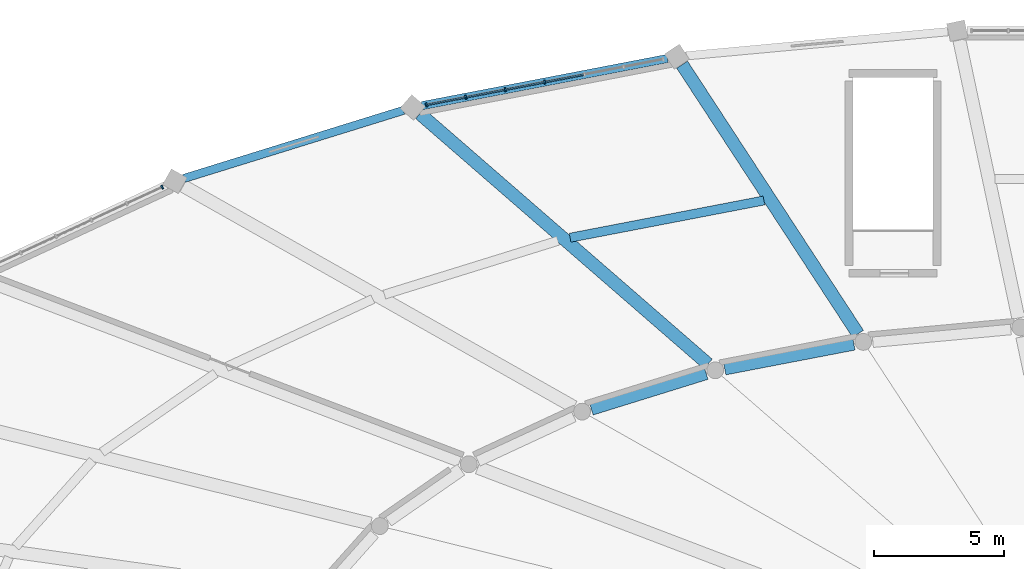
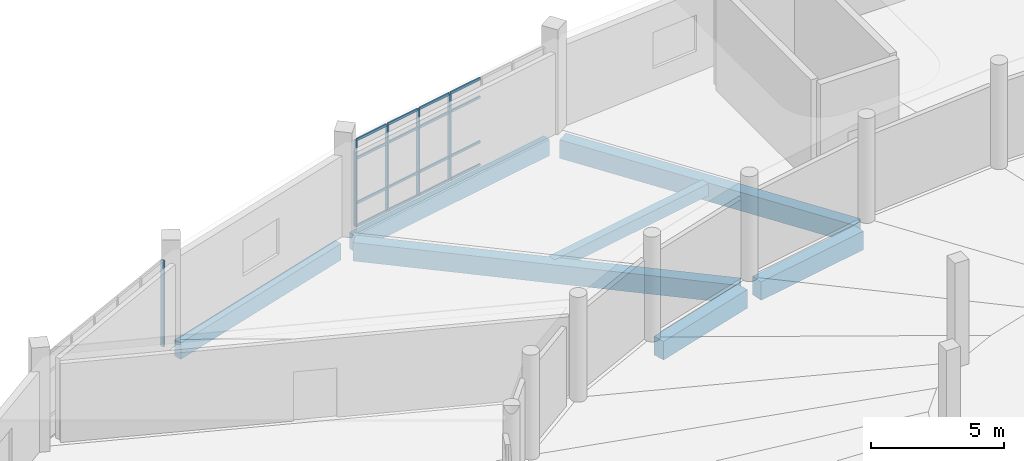
# One storey, part 80 of 179: 21 members, 7 beams, 2 elements without a shape of their own.
"""IFC4 building model written with IfcOpenShell, lengths in metres."""

from ifc_helpers import new_model, si_unit, direction, frame, origin, origin_2d, place, context, subcontext, project, spatial, rectangle, extrude, material, layer, layer_set, material_profile, profile_set, type_object, element, aggregate, save


model = new_model("IFC4")

# Units and contexts
model_context = context("Model", 3, precision=1e-05, world=origin(), true_north=direction((0.0, 1.0)))
body_context = subcontext(model_context, "Body", "Model", "MODEL_VIEW")
ifc_project = project(units=[si_unit("LENGTHUNIT", "METRE"), si_unit("AREAUNIT", "SQUARE_METRE"), si_unit("VOLUMEUNIT", "CUBIC_METRE"), si_unit("PLANEANGLEUNIT", "RADIAN"), si_unit("MASSUNIT", "GRAM", prefix="KILO")], contexts=[model_context])

# Site, building, storey
site_placement = place(None, origin())
site = spatial("IfcSite", under=ifc_project, at=site_placement, CompositionType="ELEMENT")
building_placement = place(site_placement, origin())
building = spatial("IfcBuilding", under=site, at=building_placement, Name="Corvandel Quay Wholesale Market", CompositionType="ELEMENT")
storey_placement = place(building_placement, frame((0.0, 0.0, 6.0)))
storey = spatial("IfcBuildingStorey", under=building, at=storey_placement, Name="L01", CompositionType="ELEMENT", Elevation=6.0)

# Curtain wall, members
ifc_material_1 = material(Name="Bronze anodised aluminium and low-E insulated glazing", Category="aluminium")
ifc_layer_1 = layer(ifc_material_1, 0.162109375)
ifc_layer_set_1 = layer_set([ifc_layer_1], Name="Bronze anodised aluminium and low-E insulated glazing")
curtain_wall_type_1 = type_object("IfcCurtainWallType", Name="Stick Curtain Wall System CW16 H4440", PredefinedType="NOTDEFINED", material=ifc_layer_set_1)
curtain_wall_1_placement = place(storey_placement, origin())
curtain_wall_1 = element("IfcCurtainWall", 1, at=curtain_wall_1_placement, inside=storey, type_object=curtain_wall_type_1, Name="Curtain Wall CW-0099", PredefinedType="NOTDEFINED")
ifc_material_2 = material(Name="Anodised aluminium 6063-T6", Category="aluminium")
ifc_material_profile_1 = material_profile(ifc_material_2, rectangle(XDim=0.06494140625, YDim=0.14990234375, at=origin_2d()), Name="ALU-MUL-65x150")
ifc_profile_set_1 = profile_set([ifc_material_profile_1], Name="Anodised aluminium 6063-T6")
member_type_1 = type_object("IfcMemberType", Name="Curtain Wall Mullion ML02 65x150", PredefinedType="MULLION", material=ifc_profile_set_1)
member_1_placement = place(storey_placement, frame((92.569580078125, 140.02099609375, 0.0), z_axis=(0.0, 0.0, 1.0), x_axis=(0.981991701121, 0.188924055984, 0.0)))
member_1 = element("IfcMember", 2, at=member_1_placement, type_object=member_type_1, Name="Mullion CW-0099-M03", PredefinedType="MULLION", context=body_context, shape_type="SweptSolid", body=[
    extrude(rectangle(XDim=0.06494140625, YDim=0.14990234375, at=origin_2d()), origin(), (0.0, 0.0, 1.0), 3.949951171875),
])
member_2_placement = place(storey_placement, frame((91.0478515625, 139.728271484375, 0.0), z_axis=(0.0, 0.0, 1.0), x_axis=(0.981991701121, 0.188924055984, 0.0)))
member_2 = element("IfcMember", 3, at=member_2_placement, type_object=member_type_1, Name="Mullion CW-0099-M04", PredefinedType="MULLION", context=body_context, shape_type="SweptSolid", body=[
    extrude(rectangle(XDim=0.06494140625, YDim=0.14990234375, at=origin_2d()), origin(), (0.0, 0.0, 1.0), 3.949951171875),
])
member_3_placement = place(storey_placement, frame((89.52587890625, 139.435791015625, 0.0), z_axis=(0.0, 0.0, 1.0), x_axis=(0.981991701121, 0.188924055984, 0.0)))
member_3 = element("IfcMember", 4, at=member_3_placement, type_object=member_type_1, Name="Mullion CW-0099-M05", PredefinedType="MULLION", context=body_context, shape_type="SweptSolid", body=[
    extrude(rectangle(XDim=0.06494140625, YDim=0.14990234375, at=origin_2d()), origin(), (0.0, 0.0, 1.0), 3.949951171875),
])
member_4_placement = place(storey_placement, frame((88.00439453125, 139.14306640625, 0.0), z_axis=(0.0, 0.0, 1.0), x_axis=(0.981991701121, 0.188924055984, 0.0)))
member_4 = element("IfcMember", 5, at=member_4_placement, type_object=member_type_1, Name="Mullion CW-0099-M06", PredefinedType="MULLION", context=body_context, shape_type="SweptSolid", body=[
    extrude(rectangle(XDim=0.06494140625, YDim=0.14990234375, at=origin_2d()), origin(), (0.0, 0.0, 1.0), 3.949951171875),
])

# Curtain wall, member
ifc_layer_2 = layer(ifc_material_1, 0.18603515625)
ifc_layer_set_2 = layer_set([ifc_layer_2], Name="Bronze anodised aluminium and low-E insulated glazing")
curtain_wall_type_2 = type_object("IfcCurtainWallType", Name="Stick Curtain Wall System CW18 H4620", PredefinedType="NOTDEFINED", material=ifc_layer_set_2)
curtain_wall_2_placement = place(storey_placement, origin())
curtain_wall_2 = element("IfcCurtainWall", 6, at=curtain_wall_2_placement, inside=storey, type_object=curtain_wall_type_2, Name="Curtain Wall CW-0100", PredefinedType="NOTDEFINED")
member_5_placement = place(storey_placement, frame((77.812255859375, 135.968505859375, 0.0), z_axis=(0.0, 0.0, 1.0), x_axis=(0.906970515865, 0.421194115999, 0.0)))
member_5 = element("IfcMember", 7, at=member_5_placement, type_object=member_type_1, Name="Mullion CW-0100-M00", PredefinedType="MULLION", context=body_context, shape_type="SweptSolid", body=[
    extrude(rectangle(XDim=0.06494140625, YDim=0.14990234375, at=origin_2d()), origin(), (0.0, 0.0, 1.0), 3.949951171875),
])
aggregate(curtain_wall_2, [member_5])

# Member
ifc_material_profile_2 = material_profile(ifc_material_2, rectangle(XDim=0.06005859375, YDim=0.110107421875, at=origin_2d()), Name="ALU-TRN-60x110")
ifc_profile_set_2 = profile_set([ifc_material_profile_2], Name="Anodised aluminium 6063-T6")
member_type_2 = type_object("IfcMemberType", Name="Curtain Wall Transom TR02 60x110", PredefinedType="USERDEFINED", material=ifc_profile_set_2)
member_6_placement = place(storey_placement, frame((94.059326171875, 140.3076171875, 0.0), z_axis=(-0.98199002349, -0.188932775785, 0.0), x_axis=(0.188932775785, -0.98199002349, 0.0)))
member_6 = element("IfcMember", 8, at=member_6_placement, type_object=member_type_2, Name="Transom CW-0099-T02-0", ObjectType="TRANSOM", PredefinedType="USERDEFINED", context=body_context, shape_type="SweptSolid", body=[
    extrude(rectangle(XDim=0.06005859375, YDim=0.110107421875, at=origin_2d()), origin(), (0.0, 0.0, 1.0), 1.48486328125),
])

member_7_placement = place(storey_placement, frame((94.059326171875, 140.3076171875, 1.050048828125), z_axis=(-0.98199002349, -0.188932775785, 0.0), x_axis=(0.188932775785, -0.98199002349, 0.0)))
member_7 = element("IfcMember", 9, at=member_7_placement, type_object=member_type_2, Name="Transom CW-0099-T02-1", ObjectType="TRANSOM", PredefinedType="USERDEFINED", context=body_context, shape_type="SweptSolid", body=[
    extrude(rectangle(XDim=0.06005859375, YDim=0.110107421875, at=origin_2d()), origin(), (0.0, 0.0, 1.0), 1.48486328125),
])

member_8_placement = place(storey_placement, frame((94.059326171875, 140.3076171875, 3.10009765625), z_axis=(-0.98199002349, -0.188932775785, 0.0), x_axis=(0.188932775785, -0.98199002349, 0.0)))
member_8 = element("IfcMember", 10, at=member_8_placement, type_object=member_type_2, Name="Transom CW-0099-T02-2", ObjectType="TRANSOM", PredefinedType="USERDEFINED", context=body_context, shape_type="SweptSolid", body=[
    extrude(rectangle(XDim=0.06005859375, YDim=0.110107421875, at=origin_2d()), origin(), (0.0, 0.0, 1.0), 1.48486328125),
])

member_9_placement = place(storey_placement, frame((94.059326171875, 140.3076171875, 3.949951171875), z_axis=(-0.98199002349, -0.188932775785, 0.0), x_axis=(0.188932775785, -0.98199002349, 0.0)))
member_9 = element("IfcMember", 11, at=member_9_placement, type_object=member_type_2, Name="Transom CW-0099-T02-3", ObjectType="TRANSOM", PredefinedType="USERDEFINED", context=body_context, shape_type="SweptSolid", body=[
    extrude(rectangle(XDim=0.06005859375, YDim=0.110107421875, at=origin_2d()), origin(), (0.0, 0.0, 1.0), 1.48486328125),
])

member_10_placement = place(storey_placement, frame((92.53759765625, 140.014892578125, 0.0), z_axis=(-0.982020518786, -0.188774205554, 0.0), x_axis=(0.188774205554, -0.982020518786, 0.0)))
member_10 = element("IfcMember", 12, at=member_10_placement, type_object=member_type_2, Name="Transom CW-0099-T03-0", ObjectType="TRANSOM", PredefinedType="USERDEFINED", context=body_context, shape_type="SweptSolid", body=[
    extrude(rectangle(XDim=0.06005859375, YDim=0.110107421875, at=origin_2d()), origin(), (0.0, 0.0, 1.0), 1.484619140625),
])

member_11_placement = place(storey_placement, frame((92.53759765625, 140.014892578125, 1.050048828125), z_axis=(-0.982020518786, -0.188774205554, 0.0), x_axis=(0.188774205554, -0.982020518786, 0.0)))
member_11 = element("IfcMember", 13, at=member_11_placement, type_object=member_type_2, Name="Transom CW-0099-T03-1", ObjectType="TRANSOM", PredefinedType="USERDEFINED", context=body_context, shape_type="SweptSolid", body=[
    extrude(rectangle(XDim=0.06005859375, YDim=0.110107421875, at=origin_2d()), origin(), (0.0, 0.0, 1.0), 1.484619140625),
])

member_12_placement = place(storey_placement, frame((92.53759765625, 140.014892578125, 3.10009765625), z_axis=(-0.982020518786, -0.188774205554, 0.0), x_axis=(0.188774205554, -0.982020518786, 0.0)))
member_12 = element("IfcMember", 14, at=member_12_placement, type_object=member_type_2, Name="Transom CW-0099-T03-2", ObjectType="TRANSOM", PredefinedType="USERDEFINED", context=body_context, shape_type="SweptSolid", body=[
    extrude(rectangle(XDim=0.06005859375, YDim=0.110107421875, at=origin_2d()), origin(), (0.0, 0.0, 1.0), 1.484619140625),
])

member_13_placement = place(storey_placement, frame((92.53759765625, 140.014892578125, 3.949951171875), z_axis=(-0.982020518786, -0.188774205554, 0.0), x_axis=(0.188774205554, -0.982020518786, 0.0)))
member_13 = element("IfcMember", 15, at=member_13_placement, type_object=member_type_2, Name="Transom CW-0099-T03-3", ObjectType="TRANSOM", PredefinedType="USERDEFINED", context=body_context, shape_type="SweptSolid", body=[
    extrude(rectangle(XDim=0.06005859375, YDim=0.110107421875, at=origin_2d()), origin(), (0.0, 0.0, 1.0), 1.484619140625),
])

member_14_placement = place(storey_placement, frame((91.015869140625, 139.72216796875, 0.0), z_axis=(-0.982020518786, -0.188774205554, 0.0), x_axis=(0.188774205554, -0.982020518786, 0.0)))
member_14 = element("IfcMember", 16, at=member_14_placement, type_object=member_type_2, Name="Transom CW-0099-T04-0", ObjectType="TRANSOM", PredefinedType="USERDEFINED", context=body_context, shape_type="SweptSolid", body=[
    extrude(rectangle(XDim=0.06005859375, YDim=0.110107421875, at=origin_2d()), origin(), (0.0, 0.0, 1.0), 1.484619140625),
])

member_15_placement = place(storey_placement, frame((91.015869140625, 139.72216796875, 1.050048828125), z_axis=(-0.982020518786, -0.188774205554, 0.0), x_axis=(0.188774205554, -0.982020518786, 0.0)))
member_15 = element("IfcMember", 17, at=member_15_placement, type_object=member_type_2, Name="Transom CW-0099-T04-1", ObjectType="TRANSOM", PredefinedType="USERDEFINED", context=body_context, shape_type="SweptSolid", body=[
    extrude(rectangle(XDim=0.06005859375, YDim=0.110107421875, at=origin_2d()), origin(), (0.0, 0.0, 1.0), 1.484619140625),
])

member_16_placement = place(storey_placement, frame((91.015869140625, 139.72216796875, 3.10009765625), z_axis=(-0.982020518786, -0.188774205554, 0.0), x_axis=(0.188774205554, -0.982020518786, 0.0)))
member_16 = element("IfcMember", 18, at=member_16_placement, type_object=member_type_2, Name="Transom CW-0099-T04-2", ObjectType="TRANSOM", PredefinedType="USERDEFINED", context=body_context, shape_type="SweptSolid", body=[
    extrude(rectangle(XDim=0.06005859375, YDim=0.110107421875, at=origin_2d()), origin(), (0.0, 0.0, 1.0), 1.484619140625),
])

member_17_placement = place(storey_placement, frame((91.015869140625, 139.72216796875, 3.949951171875), z_axis=(-0.982020518786, -0.188774205554, 0.0), x_axis=(0.188774205554, -0.982020518786, 0.0)))
member_17 = element("IfcMember", 19, at=member_17_placement, type_object=member_type_2, Name="Transom CW-0099-T04-3", ObjectType="TRANSOM", PredefinedType="USERDEFINED", context=body_context, shape_type="SweptSolid", body=[
    extrude(rectangle(XDim=0.06005859375, YDim=0.110107421875, at=origin_2d()), origin(), (0.0, 0.0, 1.0), 1.484619140625),
])

member_18_placement = place(storey_placement, frame((89.494140625, 139.429443359375, 0.0), z_axis=(-0.982020518786, -0.188774205554, 0.0), x_axis=(0.188774205554, -0.982020518786, 0.0)))
member_18 = element("IfcMember", 20, at=member_18_placement, type_object=member_type_2, Name="Transom CW-0099-T05-0", ObjectType="TRANSOM", PredefinedType="USERDEFINED", context=body_context, shape_type="SweptSolid", body=[
    extrude(rectangle(XDim=0.06005859375, YDim=0.110107421875, at=origin_2d()), origin(), (0.0, 0.0, 1.0), 1.484619140625),
])

member_19_placement = place(storey_placement, frame((89.494140625, 139.429443359375, 1.050048828125), z_axis=(-0.982020518786, -0.188774205554, 0.0), x_axis=(0.188774205554, -0.982020518786, 0.0)))
member_19 = element("IfcMember", 21, at=member_19_placement, type_object=member_type_2, Name="Transom CW-0099-T05-1", ObjectType="TRANSOM", PredefinedType="USERDEFINED", context=body_context, shape_type="SweptSolid", body=[
    extrude(rectangle(XDim=0.06005859375, YDim=0.110107421875, at=origin_2d()), origin(), (0.0, 0.0, 1.0), 1.484619140625),
])

member_20_placement = place(storey_placement, frame((89.494140625, 139.429443359375, 3.10009765625), z_axis=(-0.982020518786, -0.188774205554, 0.0), x_axis=(0.188774205554, -0.982020518786, 0.0)))
member_20 = element("IfcMember", 22, at=member_20_placement, type_object=member_type_2, Name="Transom CW-0099-T05-2", ObjectType="TRANSOM", PredefinedType="USERDEFINED", context=body_context, shape_type="SweptSolid", body=[
    extrude(rectangle(XDim=0.06005859375, YDim=0.110107421875, at=origin_2d()), origin(), (0.0, 0.0, 1.0), 1.484619140625),
])

member_21_placement = place(storey_placement, frame((89.494140625, 139.429443359375, 3.949951171875), z_axis=(-0.982020518786, -0.188774205554, 0.0), x_axis=(0.188774205554, -0.982020518786, 0.0)))
member_21 = element("IfcMember", 23, at=member_21_placement, type_object=member_type_2, Name="Transom CW-0099-T05-3", ObjectType="TRANSOM", PredefinedType="USERDEFINED", context=body_context, shape_type="SweptSolid", body=[
    extrude(rectangle(XDim=0.06005859375, YDim=0.110107421875, at=origin_2d()), origin(), (0.0, 0.0, 1.0), 1.484619140625),
])

aggregate(curtain_wall_1, [member_1, member_2, member_3, member_4, member_6, member_7, member_8, member_9, member_10, member_11, member_12, member_13, member_14, member_15, member_16, member_17, member_18, member_19, member_20, member_21])

# Beams
ifc_material_3 = material(Name="Precast concrete C45/55", Category="concrete")
ifc_material_profile_3 = material_profile(ifc_material_3, rectangle(XDim=0.5, YDim=0.85009765625, at=origin_2d()), Name="PC-GIR-500x850")
ifc_profile_set_3 = profile_set([ifc_material_profile_3], Name="Precast concrete C45/55")
beam_type_1 = type_object("IfcBeamType", Name="Fish Hall Radial Girder G04 500x850", PredefinedType="USERDEFINED", material=ifc_profile_set_3)
beam_1_placement = place(storey_placement, frame((104.489501953125, 129.93017578125, -0.705078125), z_axis=(-0.982030127444, -0.188724213582, 0.0), x_axis=(0.188724213582, -0.982030127444, 0.0)))
element("IfcBeam", 24, at=beam_1_placement, inside=storey, type_object=beam_type_1, Name="Beam BM-0584", ObjectType="GIRDER", PredefinedType="USERDEFINED", context=body_context, shape_type="SweptSolid", body=[
    extrude(rectangle(XDim=0.5, YDim=0.85009765625, at=origin_2d()), origin(), (0.0, 0.0, 1.0), 5.072265625),
])
beam_2_placement = place(storey_placement, frame((97.867431640625, 140.69140625, -0.705078125), z_axis=(0.546980409846, -0.837145406273, 0.0), x_axis=(0.837145406273, 0.546980409846, 0.0)))
element("IfcBeam", 25, at=beam_2_placement, inside=storey, type_object=beam_type_1, Name="Beam BM-0585", ObjectType="GIRDER", PredefinedType="USERDEFINED", context=body_context, shape_type="SweptSolid", body=[
    extrude(rectangle(XDim=0.5, YDim=0.85009765625, at=origin_2d()), origin(), (0.0, 0.0, 1.0), 12.401123046875),
])
beam_3_placement = place(storey_placement, frame((98.79150390625, 128.793212890625, -0.705078125), z_axis=(-0.955068247751, -0.296385968186, 0.0), x_axis=(0.296385968186, -0.955068247751, 0.0)))
element("IfcBeam", 26, at=beam_3_placement, inside=storey, type_object=beam_type_1, Name="Beam BM-0591", ObjectType="GIRDER", PredefinedType="USERDEFINED", context=body_context, shape_type="SweptSolid", body=[
    extrude(rectangle(XDim=0.5, YDim=0.85009765625, at=origin_2d()), origin(), (0.0, 0.0, 1.0), 4.6376953125),
])
beam_4_placement = place(storey_placement, frame((87.75341796875, 138.79833984375, -0.705078125), z_axis=(0.754943219041, -0.655790161579, 0.0), x_axis=(0.655790161579, 0.754943219041, 0.0)))
element("IfcBeam", 27, at=beam_4_placement, inside=storey, type_object=beam_type_1, Name="Beam BM-0592", ObjectType="GIRDER", PredefinedType="USERDEFINED", context=body_context, shape_type="SweptSolid", body=[
    extrude(rectangle(XDim=0.5, YDim=0.85009765625, at=origin_2d()), origin(), (0.0, 0.0, 1.0), 14.719482421875),
])
ifc_material_profile_4 = material_profile(ifc_material_3, rectangle(XDim=0.320068359375, YDim=0.75, at=origin_2d()), Name="PC-SPN-320x750")
ifc_profile_set_4 = profile_set([ifc_material_profile_4], Name="Precast concrete C45/55")
beam_type_2 = type_object("IfcBeamType", Name="Pavilion Precast Spandrel SP02 320x750", PredefinedType="SPANDREL", material=ifc_profile_set_4)
beam_5_placement = place(storey_placement, frame((97.3017578125, 140.93115234375, -0.655029296875), z_axis=(-0.982001748962, -0.188871821706, 0.0), x_axis=(0.188871821706, -0.982001748962, 0.0)))
element("IfcBeam", 28, at=beam_5_placement, inside=storey, type_object=beam_type_2, Name="Beam BM-0583", PredefinedType="SPANDREL", context=body_context, shape_type="SweptSolid", body=[
    extrude(rectangle(XDim=0.320068359375, YDim=0.75, at=origin_2d()), origin(), (0.0, 0.0, 1.0), 9.637939453125),
])
beam_6_placement = place(storey_placement, frame((87.12060546875, 138.931396484375, -0.655029296875), z_axis=(-0.955107686462, -0.296258851784, 0.0), x_axis=(0.296258851784, -0.955107686462, 0.0)))
element("IfcBeam", 29, at=beam_6_placement, inside=storey, type_object=beam_type_2, Name="Beam BM-0590", PredefinedType="SPANDREL", context=body_context, shape_type="SweptSolid", body=[
    extrude(rectangle(XDim=0.320068359375, YDim=0.75, at=origin_2d()), origin(), (0.0, 0.0, 1.0), 8.863037109375),
])
ifc_material_profile_5 = material_profile(ifc_material_3, rectangle(XDim=0.35009765625, YDim=0.550048828125, at=origin_2d()), Name="PC-BM-350x550")
ifc_profile_set_5 = profile_set([ifc_material_profile_5], Name="Precast concrete C45/55")
beam_type_3 = type_object("IfcBeamType", Name="Standard Floor Secondary Beam B03 350x550", PredefinedType="BEAM", material=ifc_profile_set_5)
beam_7_placement = place(storey_placement, frame((101.023193359375, 135.455078125, -0.554931640625), z_axis=(-0.982014678429, -0.188804585089, 0.0), x_axis=(0.188804585089, -0.982014678429, 0.0)))
element("IfcBeam", 30, at=beam_7_placement, inside=storey, type_object=beam_type_3, Name="Beam BM-0586", PredefinedType="BEAM", context=body_context, shape_type="SweptSolid", body=[
    extrude(rectangle(XDim=0.35009765625, YDim=0.550048828125, at=origin_2d()), origin(), (0.0, 0.0, 1.0), 7.614990234375),
])

save(model, "model.ifc")
